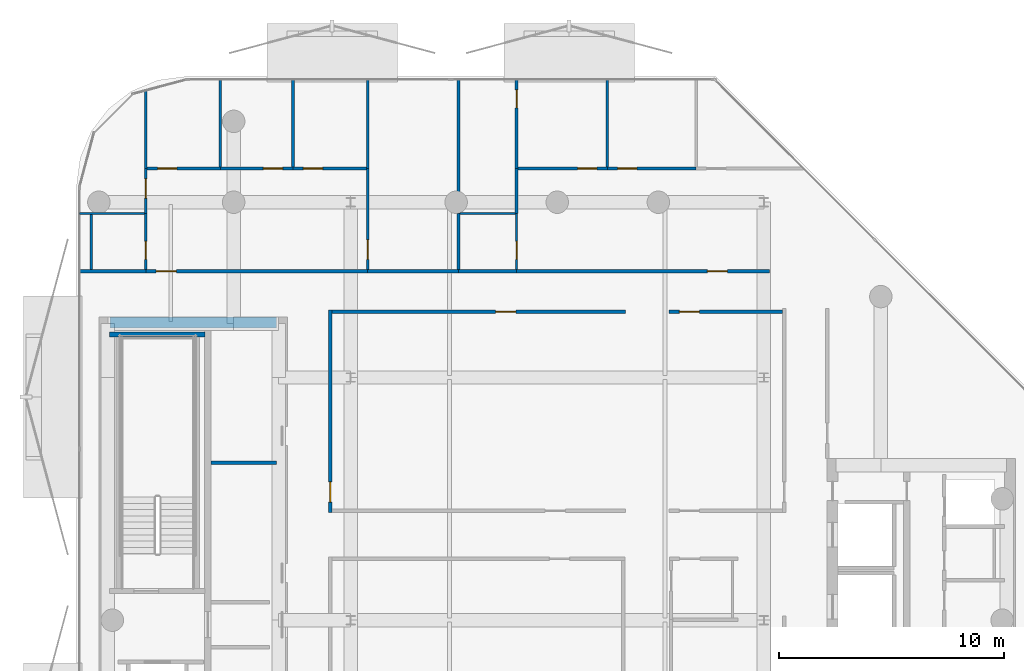
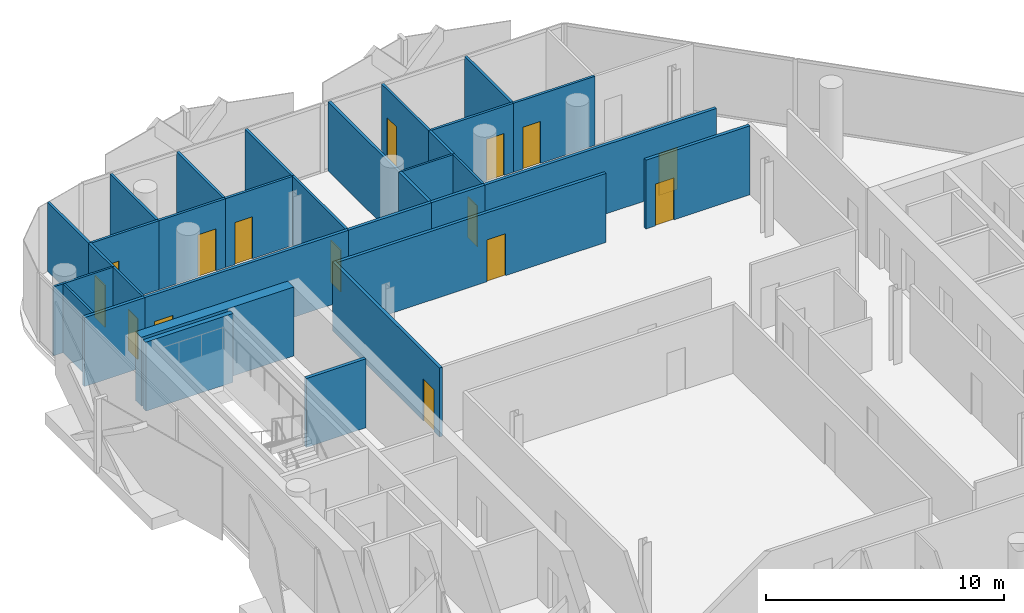
# One storey, part 7 of 17: 32 walls, 15 doors, 15 openings.
"""IFC4 building model written with IfcOpenShell, lengths in metres."""

from ifc_helpers import new_model, si_unit, direction, frame, frame_2d, origin, place, context, subcontext, project, spatial, rectangle, extrude, material, layer, layer_set, type_object, element, fill, save


model = new_model("IFC4")

# Units and contexts
model_context = context("Model", 3, precision=1e-05, world=origin(), true_north=direction((0.0, 1.0)))
body_context = subcontext(model_context, "Body", "Model", "MODEL_VIEW")
ifc_project = project(units=[si_unit("LENGTHUNIT", "METRE"), si_unit("AREAUNIT", "SQUARE_METRE"), si_unit("VOLUMEUNIT", "CUBIC_METRE"), si_unit("PLANEANGLEUNIT", "RADIAN"), si_unit("MASSUNIT", "GRAM", prefix="KILO")], contexts=[model_context])

# Site, building, storey
site_placement = place(None, origin())
site = spatial("IfcSite", under=ifc_project, at=site_placement, CompositionType="ELEMENT")
building_placement = place(site_placement, origin())
building = spatial("IfcBuilding", under=site, at=building_placement, Name="Khairoan Windgate Tower", CompositionType="ELEMENT")
storey_placement = place(building_placement, frame((0.0, 0.0, 304.199951171875)))
storey = spatial("IfcBuildingStorey", under=building, at=storey_placement, Name="L73", CompositionType="ELEMENT", Elevation=304.199951171875)

# Wall
ifc_material_1 = material(Name="Moisture-Resistant Gypsum Partition", Category="gypsum")
ifc_layer_1 = layer(ifc_material_1, 0.10009765625, Name="Moisture-Resistant Gypsum Partition")
ifc_layer_set_1 = layer_set([ifc_layer_1], Name="Moisture-Resistant Gypsum Partition")
wall_type_1 = type_object("IfcWallType", Name="Bathroom Wet-Area Partition Wall", PredefinedType="PARTITIONING", material=ifc_layer_set_1)
wall_1_placement = place(storey_placement, frame((-21.2548828125, 18.10009765625, 0.0), z_axis=(0.0, 0.0, 1.0), x_axis=(1.0, 0.0, 0.0)))
element("IfcWall", 1, at=wall_1_placement, inside=storey, type_object=wall_type_1, Name="L73 Interior Partition 038", PredefinedType="PARTITIONING", context=body_context, shape_type="SweptSolid", body=[
    extrude(rectangle(XDim=2.894775390625, YDim=0.10009765625, at=frame_2d((1.447265625, 0.0))), origin(), (0.0, 0.0, 1.0), 3.5400390625),
])

# Wall, opening, door
wall_2_placement = place(storey_placement, frame((-18.31005859375, 15.60009765625, 0.0), z_axis=(0.0, 0.0, 1.0), x_axis=(0.0, 1.0, 0.0)))
wall_2 = element("IfcWall", 2, at=wall_2_placement, inside=storey, type_object=wall_type_1, Name="L73 Interior Partition 039", PredefinedType="PARTITIONING", context=body_context, shape_type="SweptSolid", body=[
    extrude(rectangle(XDim=2.5, YDim=0.10009765625, at=frame_2d((1.25, 0.0))), origin(), (0.0, 0.0, 1.0), 3.5400390625),
])
opening_1_placement = place(wall_2_placement, frame((0.4599609375, 0.0, 0.0)))
opening_1 = element("IfcOpeningElement", 3, at=opening_1_placement, cuts=wall_2, Name="Opening ID-BTH", PredefinedType="OPENING", context=body_context, shape_type="SweptSolid", body=[
    extrude(rectangle(XDim=0.800048828125, YDim=2.10009765625, at=frame_2d((0.39990234375, 1.050048828125))), frame((0.0, 0.06005859375, 0.0), z_axis=(0.0, -1.0, 0.0), x_axis=(1.0, 0.0, 0.0)), (0.0, 0.0, 1.0), 0.1201171875),
])
ifc_material_2 = material(Name="Teak Veneer Timber Leaf", Category="wood")
door_type_1 = type_object("IfcDoorType", Name="Internal Bathroom Door ID-BTH 800x2100", OperationType="NOTDEFINED", PredefinedType="DOOR", material=ifc_material_2)
door_1_placement = place(opening_1_placement, origin())
door_1 = element("IfcDoor", 4, at=door_1_placement, inside=storey, type_object=door_type_1, Name="L73 L73-33-L73-35 Door", OperationType="SINGLE_SWING_RIGHT", OverallHeight=2.10009765625, OverallWidth=0.800048828125, PredefinedType="DOOR", context=body_context, shape_type="SweptSolid", body=[
    extrude(rectangle(XDim=0.800048828125, YDim=2.10009765625, at=frame_2d((0.39990234375, 1.050048828125))), frame((0.0, 0.02490234375, 0.0), z_axis=(0.0, -1.0, 0.0), x_axis=(1.0, 0.0, 0.0)), (0.0, 0.0, 1.0), 0.050048828125),
])
fill(opening_1, door_1)

# Wall
wall_3_placement = place(storey_placement, frame((-4.330078125, 18.10009765625, 0.0), z_axis=(0.0, 0.0, 1.0), x_axis=(1.0, 0.0, 0.0)))
element("IfcWall", 5, at=wall_3_placement, inside=storey, type_object=wall_type_1, Name="L73 Interior Partition 051", PredefinedType="PARTITIONING", context=body_context, shape_type="SweptSolid", body=[
    extrude(rectangle(XDim=2.469970703125, YDim=0.10009765625, at=frame_2d((1.23486328125, 0.0))), origin(), (0.0, 0.0, 1.0), 3.5400390625),
])

# Wall, opening, door
wall_4_placement = place(storey_placement, frame((-1.81005859375, 15.60009765625, 0.0), z_axis=(0.0, 0.0, 1.0), x_axis=(0.0, 1.0, 0.0)))
wall_4 = element("IfcWall", 6, at=wall_4_placement, inside=storey, type_object=wall_type_1, Name="L73 Interior Partition 052", PredefinedType="PARTITIONING", context=body_context, shape_type="SweptSolid", body=[
    extrude(rectangle(XDim=2.5, YDim=0.10009765625, at=frame_2d((1.25, 0.0))), origin(), (0.0, 0.0, 1.0), 3.5400390625),
])
opening_2_placement = place(wall_4_placement, frame((0.4599609375, 0.0, 0.0)))
opening_2 = element("IfcOpeningElement", 7, at=opening_2_placement, cuts=wall_4, Name="Opening ID-BTH", PredefinedType="OPENING", context=body_context, shape_type="SweptSolid", body=[
    extrude(rectangle(XDim=0.800048828125, YDim=2.10009765625, at=frame_2d((0.39990234375, 1.050048828125))), frame((0.0, 0.06005859375, 0.0), z_axis=(0.0, -1.0, 0.0), x_axis=(1.0, 0.0, 0.0)), (0.0, 0.0, 1.0), 0.1201171875),
])
door_2_placement = place(opening_2_placement, origin())
door_2 = element("IfcDoor", 8, at=door_2_placement, inside=storey, type_object=door_type_1, Name="L73 L73-40-L73-42 Door", OperationType="SINGLE_SWING_RIGHT", OverallHeight=2.10009765625, OverallWidth=0.800048828125, PredefinedType="DOOR", context=body_context, shape_type="SweptSolid", body=[
    extrude(rectangle(XDim=0.800048828125, YDim=2.10009765625, at=frame_2d((0.39990234375, 1.050048828125))), frame((0.0, 0.02490234375, 0.0), z_axis=(0.0, -1.0, 0.0), x_axis=(1.0, 0.0, 0.0)), (0.0, 0.0, 1.0), 0.050048828125),
])
fill(opening_2, door_2)

# Walls
wall_5_placement = place(storey_placement, frame((-20.739990234375, 15.60009765625, 0.0), z_axis=(0.0, 0.0, 1.0), x_axis=(0.0, 1.0, 0.0)))
element("IfcWall", 9, at=wall_5_placement, inside=storey, type_object=wall_type_1, Name="L73 Wet Room Side Wall 085", PredefinedType="PARTITIONING", context=body_context, shape_type="SweptSolid", body=[
    extrude(rectangle(XDim=2.449951171875, YDim=0.10009765625, at=frame_2d((1.22509765625, 0.0))), origin(), (0.0, 0.0, 1.0), 3.5400390625),
])
ifc_material_3 = material(Name="Acoustic Fire-Rated Gypsum Partition", Category="gypsum")
ifc_layer_2 = layer(ifc_material_3, 0.139892578125, Name="Acoustic Fire-Rated Gypsum Partition")
ifc_layer_set_2 = layer_set([ifc_layer_2], Name="Acoustic Fire-Rated Gypsum Partition")
wall_type_2 = type_object("IfcWallType", Name="Inter-Tenancy Compartment Wall", PredefinedType="PARTITIONING", material=ifc_layer_set_2)
wall_6_placement = place(storey_placement, frame((-4.39990234375, 15.60009765625, 0.0), z_axis=(0.0, 0.0, 1.0), x_axis=(0.0, 1.0, 0.0)))
element("IfcWall", 10, at=wall_6_placement, inside=storey, type_object=wall_type_2, Name="L73 Interior Partition 047", PredefinedType="PARTITIONING", context=body_context, shape_type="SweptSolid", body=[
    extrude(rectangle(XDim=2.5, YDim=0.139892578125, at=frame_2d((1.25, 0.0))), origin(), (0.0, 0.0, 1.0), 3.5400390625),
])
wall_7_placement = place(storey_placement, frame((-4.39990234375, 18.10009765625, 0.0), z_axis=(0.0, 0.0, 1.0), x_axis=(0.0, 1.0, 0.0)))
element("IfcWall", 11, at=wall_7_placement, inside=storey, type_object=wall_type_2, Name="L73 Interior Partition 048", PredefinedType="PARTITIONING", context=body_context, shape_type="SweptSolid", body=[
    extrude(rectangle(XDim=5.954833984375, YDim=0.139892578125, at=frame_2d((2.9775390625, 0.0))), origin(), (0.0, 0.0, 1.0), 3.5400390625),
])

# Wall, opening, door
ifc_material_4 = material(Name="Gypsum Stud Partition", Category="gypsum")
ifc_layer_3 = layer(ifc_material_4, 0.1201171875, Name="Gypsum Stud Partition")
ifc_layer_set_3 = layer_set([ifc_layer_3], Name="Gypsum Stud Partition")
wall_type_3 = type_object("IfcWallType", Name="Internal Room Partition Wall", PredefinedType="PARTITIONING", material=ifc_layer_set_3)
wall_8_placement = place(storey_placement, frame((-18.31005859375, 18.10009765625, 0.0), z_axis=(0.0, 0.0, 1.0), x_axis=(0.0, 1.0, 0.0)))
wall_8 = element("IfcWall", 12, at=wall_8_placement, inside=storey, type_object=wall_type_3, Name="L73 Interior Partition 040", PredefinedType="PARTITIONING", context=body_context, shape_type="SweptSolid", body=[
    extrude(rectangle(XDim=2.0, YDim=0.1201171875, at=frame_2d((1.0, 0.0))), origin(), (0.0, 0.0, 1.0), 3.5400390625),
])
opening_3_placement = place(wall_8_placement, frame((0.679931640625, 0.0, 0.0)))
opening_3 = element("IfcOpeningElement", 13, at=opening_3_placement, cuts=wall_8, Name="Opening ID-RM", PredefinedType="OPENING", context=body_context, shape_type="SweptSolid", body=[
    extrude(rectangle(XDim=0.860107421875, YDim=2.14990234375, at=frame_2d((0.43017578125, 1.074951171875))), frame((0.0, 0.070068359375, 0.0), z_axis=(0.0, -1.0, 0.0), x_axis=(1.0, 0.0, 0.0)), (0.0, 0.0, 1.0), 0.14013671875),
])
ifc_material_5 = material(Name="Teak Veneer Timber Leaf", Category="wood")
door_type_2 = type_object("IfcDoorType", Name="Internal Bedroom and Office Door ID-RM 860x2150", OperationType="NOTDEFINED", PredefinedType="DOOR", material=ifc_material_5)
door_3_placement = place(opening_3_placement, origin())
door_3 = element("IfcDoor", 14, at=door_3_placement, inside=storey, type_object=door_type_2, Name="L73 L73-34-L73-35 Door", OperationType="SINGLE_SWING_LEFT", OverallHeight=2.14990234375, OverallWidth=0.860107421875, PredefinedType="DOOR", context=body_context, shape_type="SweptSolid", body=[
    extrude(rectangle(XDim=0.860107421875, YDim=2.14990234375, at=frame_2d((0.43017578125, 1.074951171875))), frame((0.0, 0.02490234375, 0.0), z_axis=(0.0, -1.0, 0.0), x_axis=(1.0, 0.0, 0.0)), (0.0, 0.0, 1.0), 0.050048828125),
])
fill(opening_3, door_3)

# Wall
wall_9_placement = place(storey_placement, frame((-18.31005859375, 20.10009765625, 0.0), z_axis=(0.0, 0.0, 1.0), x_axis=(0.0, 1.0, 0.0)))
element("IfcWall", 15, at=wall_9_placement, inside=storey, type_object=wall_type_3, Name="L73 Interior Partition 041", PredefinedType="PARTITIONING", context=body_context, shape_type="SweptSolid", body=[
    extrude(rectangle(XDim=3.468505859375, YDim=0.1201171875, at=frame_2d((1.734375, 0.0))), origin(), (0.0, 0.0, 1.0), 3.5400390625),
])

# Wall, opening, door
wall_10_placement = place(storey_placement, frame((-8.43994140625, 15.60009765625, 0.0), z_axis=(0.0, 0.0, 1.0), x_axis=(0.0, 1.0, 0.0)))
wall_10 = element("IfcWall", 16, at=wall_10_placement, inside=storey, type_object=wall_type_3, Name="L73 Interior Partition 042", PredefinedType="PARTITIONING", context=body_context, shape_type="SweptSolid", body=[
    extrude(rectangle(XDim=4.5, YDim=0.1201171875, at=frame_2d((2.25, 0.0))), origin(), (0.0, 0.0, 1.0), 3.5400390625),
])
opening_4_placement = place(wall_10_placement, frame((0.4599609375, 0.0, 0.0)))
opening_4 = element("IfcOpeningElement", 17, at=opening_4_placement, cuts=wall_10, Name="Opening ID-RM", PredefinedType="OPENING", context=body_context, shape_type="SweptSolid", body=[
    extrude(rectangle(XDim=0.860107421875, YDim=2.14990234375, at=frame_2d((0.43017578125, 1.074951171875))), frame((0.0, 0.070068359375, 0.0), z_axis=(0.0, -1.0, 0.0), x_axis=(1.0, 0.0, 0.0)), (0.0, 0.0, 1.0), 0.14013671875),
])
door_4_placement = place(opening_4_placement, origin())
door_4 = element("IfcDoor", 18, at=door_4_placement, inside=storey, type_object=door_type_2, Name="L73 L73-35-L73-36 Door", OperationType="SINGLE_SWING_RIGHT", OverallHeight=2.14990234375, OverallWidth=0.860107421875, PredefinedType="DOOR", context=body_context, shape_type="SweptSolid", body=[
    extrude(rectangle(XDim=0.860107421875, YDim=2.14990234375, at=frame_2d((0.43017578125, 1.074951171875))), frame((0.0, 0.02490234375, 0.0), z_axis=(0.0, -1.0, 0.0), x_axis=(1.0, 0.0, 0.0)), (0.0, 0.0, 1.0), 0.050048828125),
])
fill(opening_4, door_4)

wall_11_placement = place(storey_placement, frame((-18.25, 20.10009765625, 0.0), z_axis=(0.0, 0.0, 1.0), x_axis=(1.0, 0.0, 0.0)))
wall_11 = element("IfcWall", 19, at=wall_11_placement, inside=storey, type_object=wall_type_3, Name="L73 Interior Partition 043", PredefinedType="PARTITIONING", context=body_context, shape_type="SweptSolid", body=[
    extrude(rectangle(XDim=3.257080078125, YDim=0.1201171875, at=frame_2d((1.62841796875, 0.0))), origin(), (0.0, 0.0, 1.0), 3.5400390625),
])
opening_5_placement = place(wall_11_placement, frame((0.4599609375, 0.0, 0.0)))
opening_5 = element("IfcOpeningElement", 20, at=opening_5_placement, cuts=wall_11, Name="Opening ID-RM", PredefinedType="OPENING", context=body_context, shape_type="SweptSolid", body=[
    extrude(rectangle(XDim=0.860107421875, YDim=2.14990234375, at=frame_2d((0.43017578125, 1.074951171875))), frame((0.0, 0.070068359375, 0.0), z_axis=(0.0, -1.0, 0.0), x_axis=(1.0, 0.0, 0.0)), (0.0, 0.0, 1.0), 0.14013671875),
])
door_5_placement = place(opening_5_placement, origin())
door_5 = element("IfcDoor", 21, at=door_5_placement, inside=storey, type_object=door_type_2, Name="L73 L73-35-L73-37 Door", OperationType="SINGLE_SWING_LEFT", OverallHeight=2.14990234375, OverallWidth=0.860107421875, PredefinedType="DOOR", context=body_context, shape_type="SweptSolid", body=[
    extrude(rectangle(XDim=0.860107421875, YDim=2.14990234375, at=frame_2d((0.43017578125, 1.074951171875))), frame((0.0, 0.02490234375, 0.0), z_axis=(0.0, -1.0, 0.0), x_axis=(1.0, 0.0, 0.0)), (0.0, 0.0, 1.0), 0.050048828125),
])
fill(opening_5, door_5)

wall_12_placement = place(storey_placement, frame((-14.992919921875, 20.10009765625, 0.0), z_axis=(0.0, 0.0, 1.0), x_axis=(1.0, 0.0, 0.0)))
wall_12 = element("IfcWall", 22, at=wall_12_placement, inside=storey, type_object=wall_type_3, Name="L73 Interior Partition 044", PredefinedType="PARTITIONING", context=body_context, shape_type="SweptSolid", body=[
    extrude(rectangle(XDim=3.23583984375, YDim=0.1201171875, at=frame_2d((1.617919921875, 0.0))), origin(), (0.0, 0.0, 1.0), 3.5400390625),
])
opening_6_placement = place(wall_12_placement, frame((1.916015625, 0.0, 0.0)))
opening_6 = element("IfcOpeningElement", 23, at=opening_6_placement, cuts=wall_12, Name="Opening ID-RM", PredefinedType="OPENING", context=body_context, shape_type="SweptSolid", body=[
    extrude(rectangle(XDim=0.860107421875, YDim=2.14990234375, at=frame_2d((0.43017578125, 1.074951171875))), frame((0.0, 0.070068359375, 0.0), z_axis=(0.0, -1.0, 0.0), x_axis=(1.0, 0.0, 0.0)), (0.0, 0.0, 1.0), 0.14013671875),
])
door_6_placement = place(opening_6_placement, origin())
door_6 = element("IfcDoor", 24, at=door_6_placement, inside=storey, type_object=door_type_2, Name="L73 L73-35-L73-38 Door", OperationType="SINGLE_SWING_RIGHT", OverallHeight=2.14990234375, OverallWidth=0.860107421875, PredefinedType="DOOR", context=body_context, shape_type="SweptSolid", body=[
    extrude(rectangle(XDim=0.860107421875, YDim=2.14990234375, at=frame_2d((0.43017578125, 1.074951171875))), frame((0.0, 0.02490234375, 0.0), z_axis=(0.0, -1.0, 0.0), x_axis=(1.0, 0.0, 0.0)), (0.0, 0.0, 1.0), 0.050048828125),
])
fill(opening_6, door_6)

wall_13_placement = place(storey_placement, frame((-11.757080078125, 20.10009765625, 0.0), z_axis=(0.0, 0.0, 1.0), x_axis=(1.0, 0.0, 0.0)))
wall_13 = element("IfcWall", 25, at=wall_13_placement, inside=storey, type_object=wall_type_3, Name="L73 Interior Partition 045", PredefinedType="PARTITIONING", context=body_context, shape_type="SweptSolid", body=[
    extrude(rectangle(XDim=3.257080078125, YDim=0.1201171875, at=frame_2d((1.62841796875, 0.0))), origin(), (0.0, 0.0, 1.0), 3.5400390625),
])
opening_7_placement = place(wall_13_placement, frame((0.4599609375, 0.0, 0.0)))
opening_7 = element("IfcOpeningElement", 26, at=opening_7_placement, cuts=wall_13, Name="Opening ID-RM", PredefinedType="OPENING", context=body_context, shape_type="SweptSolid", body=[
    extrude(rectangle(XDim=0.860107421875, YDim=2.14990234375, at=frame_2d((0.43017578125, 1.074951171875))), frame((0.0, 0.070068359375, 0.0), z_axis=(0.0, -1.0, 0.0), x_axis=(1.0, 0.0, 0.0)), (0.0, 0.0, 1.0), 0.14013671875),
])
door_7_placement = place(opening_7_placement, origin())
door_7 = element("IfcDoor", 27, at=door_7_placement, inside=storey, type_object=door_type_2, Name="L73 L73-35-L73-39 Door", OperationType="SINGLE_SWING_LEFT", OverallHeight=2.14990234375, OverallWidth=0.860107421875, PredefinedType="DOOR", context=body_context, shape_type="SweptSolid", body=[
    extrude(rectangle(XDim=0.860107421875, YDim=2.14990234375, at=frame_2d((0.43017578125, 1.074951171875))), frame((0.0, 0.02490234375, 0.0), z_axis=(0.0, -1.0, 0.0), x_axis=(1.0, 0.0, 0.0)), (0.0, 0.0, 1.0), 0.050048828125),
])
fill(opening_7, door_7)

# Walls
wall_14_placement = place(storey_placement, frame((-8.43994140625, 20.10009765625, 0.0), z_axis=(0.0, 0.0, 1.0), x_axis=(0.0, 1.0, 0.0)))
element("IfcWall", 28, at=wall_14_placement, inside=storey, type_object=wall_type_3, Name="L73 Interior Partition 046", PredefinedType="PARTITIONING", context=body_context, shape_type="SweptSolid", body=[
    extrude(rectangle(XDim=3.954833984375, YDim=0.1201171875, at=frame_2d((1.9775390625, 0.0))), origin(), (0.0, 0.0, 1.0), 3.5400390625),
])
for number, where, z_axis, x_axis, name in (
    (29, (-14.992919921875, 20.159912109375, 0.0), (0.0, 0.0, 1.0), (0.0, 1.0, 0.0), "L73 Interior Partition 049"),
    (30, (-11.757080078125, 20.159912109375, 0.0), (0.0, 0.0, 1.0), (0.0, 1.0, 0.0), "L73 Interior Partition 050"),
):
    element("IfcWall", number, at=place(storey_placement, frame(where, z_axis=z_axis, x_axis=x_axis)), inside=storey, type_object=wall_type_3, Name=name, PredefinedType="PARTITIONING", context=body_context, shape_type="SweptSolid", body=[
        extrude(rectangle(XDim=3.89501953125, YDim=0.1201171875, at=frame_2d((1.947509765625, 0.0))), origin(), (0.0, 0.0, 1.0), 3.5400390625),
    ])
wall_15_placement = place(storey_placement, frame((-1.81005859375, 18.10009765625, 0.0), z_axis=(0.0, 0.0, 1.0), x_axis=(0.0, 1.0, 0.0)))
element("IfcWall", 31, at=wall_15_placement, inside=storey, type_object=wall_type_3, Name="L73 Interior Partition 053", PredefinedType="PARTITIONING", context=body_context, shape_type="SweptSolid", body=[
    extrude(rectangle(XDim=2.0, YDim=0.1201171875, at=frame_2d((1.0, 0.0))), origin(), (0.0, 0.0, 1.0), 3.5400390625),
])

# Wall, opening, door
wall_16_placement = place(storey_placement, frame((-1.81005859375, 20.10009765625, 0.0), z_axis=(0.0, 0.0, 1.0), x_axis=(0.0, 1.0, 0.0)))
wall_16 = element("IfcWall", 32, at=wall_16_placement, inside=storey, type_object=wall_type_3, Name="L73 Interior Partition 054", PredefinedType="PARTITIONING", context=body_context, shape_type="SweptSolid", body=[
    extrude(rectangle(XDim=3.954833984375, YDim=0.1201171875, at=frame_2d((1.9775390625, 0.0))), origin(), (0.0, 0.0, 1.0), 3.5400390625),
])
opening_8_placement = place(wall_16_placement, frame((2.695068359375, 0.0, 0.0)))
opening_8 = element("IfcOpeningElement", 33, at=opening_8_placement, cuts=wall_16, Name="Opening ID-BTH", PredefinedType="OPENING", context=body_context, shape_type="SweptSolid", body=[
    extrude(rectangle(XDim=0.800048828125, YDim=2.10009765625, at=frame_2d((0.39990234375, 1.050048828125))), frame((0.0, 0.070068359375, 0.0), z_axis=(0.0, -1.0, 0.0), x_axis=(1.0, 0.0, 0.0)), (0.0, 0.0, 1.0), 0.14013671875),
])
door_8_placement = place(opening_8_placement, origin())
door_8 = element("IfcDoor", 34, at=door_8_placement, inside=storey, type_object=door_type_1, Name="L73 L73-41-L73-43 Door", OperationType="SINGLE_SWING_LEFT", OverallHeight=2.10009765625, OverallWidth=0.800048828125, PredefinedType="DOOR", context=body_context, shape_type="SweptSolid", body=[
    extrude(rectangle(XDim=0.800048828125, YDim=2.10009765625, at=frame_2d((0.39990234375, 1.050048828125))), frame((0.0, 0.02490234375, 0.0), z_axis=(0.0, -1.0, 0.0), x_axis=(1.0, 0.0, 0.0)), (0.0, 0.0, 1.0), 0.050048828125),
])
fill(opening_8, door_8)

wall_17_placement = place(storey_placement, frame((-1.75, 20.10009765625, 0.0), z_axis=(0.0, 0.0, 1.0), x_axis=(1.0, 0.0, 0.0)))
wall_17 = element("IfcWall", 35, at=wall_17_placement, inside=storey, type_object=wall_type_3, Name="L73 Interior Partition 055", PredefinedType="PARTITIONING", context=body_context, shape_type="SweptSolid", body=[
    extrude(rectangle(XDim=3.97705078125, YDim=0.1201171875, at=frame_2d((1.988525390625, 0.0))), origin(), (0.0, 0.0, 1.0), 3.5400390625),
])
opening_9_placement = place(wall_17_placement, frame((2.656982421875, 0.0, 0.0)))
opening_9 = element("IfcOpeningElement", 36, at=opening_9_placement, cuts=wall_17, Name="Opening ID-RM", PredefinedType="OPENING", context=body_context, shape_type="SweptSolid", body=[
    extrude(rectangle(XDim=0.860107421875, YDim=2.14990234375, at=frame_2d((0.43017578125, 1.074951171875))), frame((0.0, 0.070068359375, 0.0), z_axis=(0.0, -1.0, 0.0), x_axis=(1.0, 0.0, 0.0)), (0.0, 0.0, 1.0), 0.14013671875),
])
door_9_placement = place(opening_9_placement, origin())
door_9 = element("IfcDoor", 37, at=door_9_placement, inside=storey, type_object=door_type_2, Name="L73 L73-42-L73-43 Door", OperationType="SINGLE_SWING_RIGHT", OverallHeight=2.14990234375, OverallWidth=0.860107421875, PredefinedType="DOOR", context=body_context, shape_type="SweptSolid", body=[
    extrude(rectangle(XDim=0.860107421875, YDim=2.14990234375, at=frame_2d((0.43017578125, 1.074951171875))), frame((0.0, 0.02490234375, 0.0), z_axis=(0.0, -1.0, 0.0), x_axis=(1.0, 0.0, 0.0)), (0.0, 0.0, 1.0), 0.050048828125),
])
fill(opening_9, door_9)

wall_18_placement = place(storey_placement, frame((2.22705078125, 20.10009765625, 0.0), z_axis=(0.0, 0.0, 1.0), x_axis=(1.0, 0.0, 0.0)))
wall_18 = element("IfcWall", 38, at=wall_18_placement, inside=storey, type_object=wall_type_3, Name="L73 Interior Partition 056", PredefinedType="PARTITIONING", context=body_context, shape_type="SweptSolid", body=[
    extrude(rectangle(XDim=3.9560546875, YDim=0.1201171875, at=frame_2d((1.97802734375, 0.0))), origin(), (0.0, 0.0, 1.0), 3.5400390625),
])
opening_10_placement = place(wall_18_placement, frame((0.4599609375, 0.0, 0.0)))
opening_10 = element("IfcOpeningElement", 39, at=opening_10_placement, cuts=wall_18, Name="Opening ID-RM", PredefinedType="OPENING", context=body_context, shape_type="SweptSolid", body=[
    extrude(rectangle(XDim=0.860107421875, YDim=2.14990234375, at=frame_2d((0.43017578125, 1.074951171875))), frame((0.0, 0.070068359375, 0.0), z_axis=(0.0, -1.0, 0.0), x_axis=(1.0, 0.0, 0.0)), (0.0, 0.0, 1.0), 0.14013671875),
])
door_10_placement = place(opening_10_placement, origin())
door_10 = element("IfcDoor", 40, at=door_10_placement, inside=storey, type_object=door_type_2, Name="L73 L73-42-L73-44 Door", OperationType="SINGLE_SWING_LEFT", OverallHeight=2.14990234375, OverallWidth=0.860107421875, PredefinedType="DOOR", context=body_context, shape_type="SweptSolid", body=[
    extrude(rectangle(XDim=0.860107421875, YDim=2.14990234375, at=frame_2d((0.43017578125, 1.074951171875))), frame((0.0, 0.02490234375, 0.0), z_axis=(0.0, -1.0, 0.0), x_axis=(1.0, 0.0, 0.0)), (0.0, 0.0, 1.0), 0.050048828125),
])
fill(opening_10, door_10)

# Walls
wall_19_placement = place(storey_placement, frame((2.22705078125, 20.159912109375, 0.0), z_axis=(0.0, 0.0, 1.0), x_axis=(0.0, 1.0, 0.0)))
element("IfcWall", 41, at=wall_19_placement, inside=storey, type_object=wall_type_3, Name="L73 Interior Partition 058", PredefinedType="PARTITIONING", context=body_context, shape_type="SweptSolid", body=[
    extrude(rectangle(XDim=3.89501953125, YDim=0.1201171875, at=frame_2d((1.947509765625, 0.0))), origin(), (0.0, 0.0, 1.0), 3.5400390625),
])
ifc_material_6 = material(Name="Concrete C40/50", Category="concrete")
ifc_layer_4 = layer(ifc_material_6, 0.159912109375, Name="Concrete C40/50")
ifc_layer_set_4 = layer_set([ifc_layer_4], Name="Concrete C40/50")
wall_type_4 = type_object("IfcWallType", Name="Plant and Refuge Compartment Wall", PredefinedType="PARTITIONING", material=ifc_layer_set_4)
wall_20_placement = place(storey_placement, frame((-15.39990234375, 7.0, 0.0), z_axis=(0.0, 0.0, 1.0), x_axis=(1.0, 0.0, 0.0)))
element("IfcWall", 42, at=wall_20_placement, inside=storey, type_object=wall_type_4, Name="L73 Interior Partition 006", PredefinedType="PARTITIONING", context=body_context, shape_type="SweptSolid", body=[
    extrude(rectangle(XDim=2.89990234375, YDim=0.159912109375, at=frame_2d((1.449951171875, 0.0))), origin(), (0.0, 0.0, 1.0), 3.5400390625),
])

# Wall, opening, door
ifc_material_7 = material(Name="Acoustic Fire-Rated Gypsum Partition", Category="gypsum")
ifc_layer_5 = layer(ifc_material_7, 0.14990234375, Name="Acoustic Fire-Rated Gypsum Partition")
ifc_layer_set_5 = layer_set([ifc_layer_5], Name="Acoustic Fire-Rated Gypsum Partition")
wall_type_5 = type_object("IfcWallType", Name="Rated Corridor Partition Wall", PredefinedType="PARTITIONING", material=ifc_layer_set_5)
wall_21_placement = place(storey_placement, frame((-10.10009765625, 4.7900390625, 0.0), z_axis=(0.0, 0.0, 1.0), x_axis=(0.0, 1.0, 0.0)))
wall_21 = element("IfcWall", 43, at=wall_21_placement, inside=storey, type_object=wall_type_5, Name="L73 Interior Partition 013", PredefinedType="PARTITIONING", context=body_context, shape_type="SweptSolid", body=[
    extrude(rectangle(XDim=9.0048828125, YDim=0.14990234375, at=frame_2d((4.50244140625, 0.0))), origin(), (0.0, 0.0, 1.0), 3.5400390625),
])
opening_11_placement = place(wall_21_placement, frame((0.4599609375, 0.0, 0.0)))
opening_11 = element("IfcOpeningElement", 44, at=opening_11_placement, cuts=wall_21, Name="Opening FD-ENT", PredefinedType="OPENING", context=body_context, shape_type="SweptSolid", body=[
    extrude(rectangle(XDim=0.89990234375, YDim=2.14990234375, at=frame_2d((0.449951171875, 1.074951171875))), frame((0.0, 0.0849609375, 0.0), z_axis=(0.0, -1.0, 0.0), x_axis=(1.0, 0.0, 0.0)), (0.0, 0.0, 1.0), 0.169921875),
])
ifc_material_8 = material(Name="Timber Fire-Rated Core", Category="wood")
door_type_3 = type_object("IfcDoorType", Name="Unit and Office Fire Entrance Door FD-ENT 900x2150", OperationType="NOTDEFINED", PredefinedType="DOOR", material=ifc_material_8)
door_11_placement = place(opening_11_placement, origin())
door_11 = element("IfcDoor", 45, at=door_11_placement, inside=storey, type_object=door_type_3, Name="L73 L73-27-L73-60 Door", OperationType="SINGLE_SWING_RIGHT", OverallHeight=2.14990234375, OverallWidth=0.89990234375, PredefinedType="DOOR", context=body_context, shape_type="SweptSolid", body=[
    extrude(rectangle(XDim=0.89990234375, YDim=2.14990234375, at=frame_2d((0.449951171875, 1.074951171875))), frame((0.0, 0.02490234375, 0.0), z_axis=(0.0, -1.0, 0.0), x_axis=(1.0, 0.0, 0.0)), (0.0, 0.0, 1.0), 0.050048828125),
])
fill(opening_11, door_11)

# Wall
wall_22_placement = place(storey_placement, frame((-21.2548828125, 15.52490234375, 0.0), z_axis=(0.0, 0.0, 1.0), x_axis=(1.0, 0.0, 0.0)))
element("IfcWall", 46, at=wall_22_placement, inside=storey, type_object=wall_type_5, Name="L73 Interior Partition 025", PredefinedType="PARTITIONING", context=body_context, shape_type="SweptSolid", body=[
    extrude(rectangle(XDim=2.94482421875, YDim=0.14990234375, at=frame_2d((1.472412109375, 0.0))), origin(), (0.0, 0.0, 1.0), 3.5400390625),
])

# Wall, opening, door
wall_23_placement = place(storey_placement, frame((-18.31005859375, 15.52490234375, 0.0), z_axis=(0.0, 0.0, 1.0), x_axis=(1.0, 0.0, 0.0)))
wall_23 = element("IfcWall", 47, at=wall_23_placement, inside=storey, type_object=wall_type_5, Name="L73 Interior Partition 026", PredefinedType="PARTITIONING", context=body_context, shape_type="SweptSolid", body=[
    extrude(rectangle(XDim=9.8701171875, YDim=0.14990234375, at=frame_2d((4.93505859375, 0.0))), origin(), (0.0, 0.0, 1.0), 3.5400390625),
])
opening_12_placement = place(wall_23_placement, frame((0.4599609375, 0.0, 0.0)))
opening_12 = element("IfcOpeningElement", 48, at=opening_12_placement, cuts=wall_23, Name="Opening FD-ENT", PredefinedType="OPENING", context=body_context, shape_type="SweptSolid", body=[
    extrude(rectangle(XDim=0.89990234375, YDim=2.14990234375, at=frame_2d((0.449951171875, 1.074951171875))), frame((0.0, 0.0849609375, 0.0), z_axis=(0.0, -1.0, 0.0), x_axis=(1.0, 0.0, 0.0)), (0.0, 0.0, 1.0), 0.169921875),
])
door_12_placement = place(opening_12_placement, origin())
door_12 = element("IfcDoor", 49, at=door_12_placement, inside=storey, type_object=door_type_3, Name="L73 L73-31-L73-35 Door", OperationType="SINGLE_SWING_RIGHT", OverallHeight=2.14990234375, OverallWidth=0.89990234375, PredefinedType="DOOR", context=body_context, shape_type="SweptSolid", body=[
    extrude(rectangle(XDim=0.89990234375, YDim=2.14990234375, at=frame_2d((0.449951171875, 1.074951171875))), frame((0.0, 0.02490234375, 0.0), z_axis=(0.0, -1.0, 0.0), x_axis=(1.0, 0.0, 0.0)), (0.0, 0.0, 1.0), 0.050048828125),
])
fill(opening_12, door_12)

# Walls
wall_24_placement = place(storey_placement, frame((-8.43994140625, 15.52490234375, 0.0), z_axis=(0.0, 0.0, 1.0), x_axis=(1.0, 0.0, 0.0)))
element("IfcWall", 50, at=wall_24_placement, inside=storey, type_object=wall_type_5, Name="L73 Interior Partition 027", PredefinedType="PARTITIONING", context=body_context, shape_type="SweptSolid", body=[
    extrude(rectangle(XDim=4.0400390625, YDim=0.14990234375, at=frame_2d((2.02001953125, 0.0))), origin(), (0.0, 0.0, 1.0), 3.5400390625),
])
wall_25_placement = place(storey_placement, frame((-4.39990234375, 15.52490234375, 0.0), z_axis=(0.0, 0.0, 1.0), x_axis=(1.0, 0.0, 0.0)))
element("IfcWall", 51, at=wall_25_placement, inside=storey, type_object=wall_type_5, Name="L73 Interior Partition 028", PredefinedType="PARTITIONING", context=body_context, shape_type="SweptSolid", body=[
    extrude(rectangle(XDim=2.58984375, YDim=0.14990234375, at=frame_2d((1.294921875, 0.0))), origin(), (0.0, 0.0, 1.0), 3.5400390625),
])

# Wall, opening, door
wall_26_placement = place(storey_placement, frame((-1.81005859375, 15.52490234375, 0.0), z_axis=(0.0, 0.0, 1.0), x_axis=(1.0, 0.0, 0.0)))
wall_26 = element("IfcWall", 52, at=wall_26_placement, inside=storey, type_object=wall_type_5, Name="L73 Interior Partition 029", PredefinedType="PARTITIONING", context=body_context, shape_type="SweptSolid", body=[
    extrude(rectangle(XDim=11.25, YDim=0.14990234375, at=frame_2d((5.625, 0.0))), origin(), (0.0, 0.0, 1.0), 3.5400390625),
])
opening_13_placement = place(wall_26_placement, frame((8.485595703125, 0.0, 0.0)))
opening_13 = element("IfcOpeningElement", 53, at=opening_13_placement, cuts=wall_26, Name="Opening FD-ENT", PredefinedType="OPENING", context=body_context, shape_type="SweptSolid", body=[
    extrude(rectangle(XDim=0.89990234375, YDim=2.14990234375, at=frame_2d((0.449951171875, 1.074951171875))), frame((0.0, 0.0849609375, 0.0), z_axis=(0.0, -1.0, 0.0), x_axis=(1.0, 0.0, 0.0)), (0.0, 0.0, 1.0), 0.169921875),
])
door_13_placement = place(opening_13_placement, origin())
door_13 = element("IfcDoor", 54, at=door_13_placement, inside=storey, type_object=door_type_3, Name="L73 L73-31-L73-42 Door", OperationType="SINGLE_SWING_LEFT", OverallHeight=2.14990234375, OverallWidth=0.89990234375, PredefinedType="DOOR", context=body_context, shape_type="SweptSolid", body=[
    extrude(rectangle(XDim=0.89990234375, YDim=2.14990234375, at=frame_2d((0.449951171875, 1.074951171875))), frame((0.0, 0.02490234375, 0.0), z_axis=(0.0, -1.0, 0.0), x_axis=(1.0, 0.0, 0.0)), (0.0, 0.0, 1.0), 0.050048828125),
])
fill(opening_13, door_13)

wall_27_placement = place(storey_placement, frame((-10.02490234375, 13.719970703125, 0.0), z_axis=(0.0, 0.0, 1.0), x_axis=(1.0, 0.0, 0.0)))
wall_27 = element("IfcWall", 55, at=wall_27_placement, inside=storey, type_object=wall_type_5, Name="L73 Interior Partition 030", PredefinedType="PARTITIONING", context=body_context, shape_type="SweptSolid", body=[
    extrude(rectangle(XDim=13.054931640625, YDim=0.14990234375, at=frame_2d((6.52734375, 0.0))), origin(), (0.0, 0.0, 1.0), 3.5400390625),
])
opening_14_placement = place(wall_27_placement, frame((7.28125, 0.0, 0.0)))
opening_14 = element("IfcOpeningElement", 56, at=opening_14_placement, cuts=wall_27, Name="Opening FD-ENT", PredefinedType="OPENING", context=body_context, shape_type="SweptSolid", body=[
    extrude(rectangle(XDim=0.89990234375, YDim=2.14990234375, at=frame_2d((0.449951171875, 1.074951171875))), frame((0.0, 0.0849609375, 0.0), z_axis=(0.0, -1.0, 0.0), x_axis=(1.0, 0.0, 0.0)), (0.0, 0.0, 1.0), 0.169921875),
])
door_14_placement = place(opening_14_placement, origin())
door_14 = element("IfcDoor", 57, at=door_14_placement, inside=storey, type_object=door_type_3, Name="L73 L73-31-L73-60 Door", OperationType="SINGLE_SWING_RIGHT", OverallHeight=2.14990234375, OverallWidth=0.89990234375, PredefinedType="DOOR", context=body_context, shape_type="SweptSolid", body=[
    extrude(rectangle(XDim=0.89990234375, YDim=2.14990234375, at=frame_2d((0.449951171875, 1.074951171875))), frame((0.0, 0.02490234375, 0.0), z_axis=(0.0, -1.0, 0.0), x_axis=(1.0, 0.0, 0.0)), (0.0, 0.0, 1.0), 0.050048828125),
])
fill(opening_14, door_14)

wall_28_placement = place(storey_placement, frame((4.969970703125, 13.719970703125, 0.0), z_axis=(0.0, 0.0, 1.0), x_axis=(1.0, 0.0, 0.0)))
wall_28 = element("IfcWall", 58, at=wall_28_placement, inside=storey, type_object=wall_type_5, Name="L73 Interior Partition 031", PredefinedType="PARTITIONING", context=body_context, shape_type="SweptSolid", body=[
    extrude(rectangle(XDim=5.054931640625, YDim=0.14990234375, at=frame_2d((2.52734375, 0.0))), origin(), (0.0, 0.0, 1.0), 3.5400390625),
])
opening_15_placement = place(wall_28_placement, frame((0.4599609375, 0.0, 0.0)))
opening_15 = element("IfcOpeningElement", 59, at=opening_15_placement, cuts=wall_28, Name="Opening FD-ENT", PredefinedType="OPENING", context=body_context, shape_type="SweptSolid", body=[
    extrude(rectangle(XDim=0.89990234375, YDim=2.14990234375, at=frame_2d((0.449951171875, 1.074951171875))), frame((0.0, 0.0849609375, 0.0), z_axis=(0.0, -1.0, 0.0), x_axis=(1.0, 0.0, 0.0)), (0.0, 0.0, 1.0), 0.169921875),
])
door_15_placement = place(opening_15_placement, origin())
door_15 = element("IfcDoor", 60, at=door_15_placement, inside=storey, type_object=door_type_3, Name="L73 L73-31-L73-62 Door", OperationType="SINGLE_SWING_LEFT", OverallHeight=2.14990234375, OverallWidth=0.89990234375, PredefinedType="DOOR", context=body_context, shape_type="SweptSolid", body=[
    extrude(rectangle(XDim=0.89990234375, YDim=2.14990234375, at=frame_2d((0.449951171875, 1.074951171875))), frame((0.0, 0.02490234375, 0.0), z_axis=(0.0, -1.0, 0.0), x_axis=(1.0, 0.0, 0.0)), (0.0, 0.0, 1.0), 0.050048828125),
])
fill(opening_15, door_15)

# Walls
ifc_material_9 = material(Name="Concrete C50/60", Category="concrete")
ifc_layer_6 = layer(ifc_material_9, 0.5, Name="Concrete C50/60")
ifc_layer_set_6 = layer_set([ifc_layer_6], Name="Concrete C50/60")
wall_type_6 = type_object("IfcWallType", Name="Shear Wall CW-W3 500mm", PredefinedType="SHEAR", material=ifc_layer_set_6)
wall_29_placement = place(storey_placement, frame((-19.89990234375, 13.25, 0.0), z_axis=(0.0, 0.0, 1.0), x_axis=(1.0, 0.0, 0.0)))
element("IfcWall", 61, at=wall_29_placement, inside=storey, type_object=wall_type_6, Name="W Core North Shear Wall L73", PredefinedType="SHEAR", context=body_context, shape_type="SweptSolid", body=[
    extrude(rectangle(XDim=7.39990234375, YDim=0.5, at=frame_2d((3.699951171875, 0.0))), origin(), (0.0, 0.0, 1.0), 3.5400390625),
])
ifc_material_10 = material(Name="Concrete C50/60", Category="concrete")
ifc_layer_7 = layer(ifc_material_10, 0.219970703125, Name="Concrete C50/60")
ifc_layer_set_7 = layer_set([ifc_layer_7], Name="Concrete C50/60")
wall_type_7 = type_object("IfcWallType", Name="Shear Wall SW-ST 220mm", PredefinedType="SHEAR", material=ifc_layer_set_7)
wall_30_placement = place(storey_placement, frame((-19.919921875, 12.7099609375, 0.0), z_axis=(0.0, 0.0, 1.0), x_axis=(1.0, 0.0, 0.0)))
element("IfcWall", 62, at=wall_30_placement, inside=storey, type_object=wall_type_7, Name="L73 Stair ST2 North Bearing Wall", PredefinedType="SHEAR", context=body_context, shape_type="SweptSolid", body=[
    extrude(rectangle(XDim=4.239990234375, YDim=0.219970703125, at=frame_2d((2.1201171875, 0.0))), origin(), (0.0, 0.0, 1.0), 3.5400390625),
])

save(model, "model.ifc")
